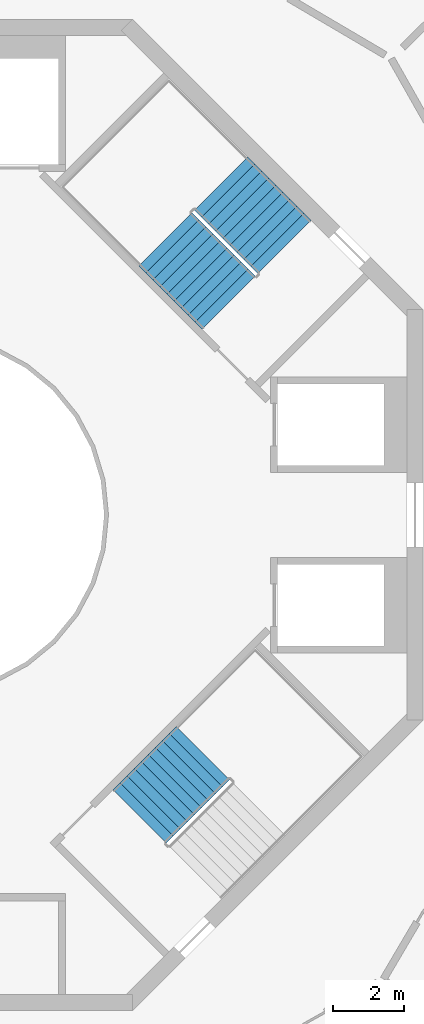
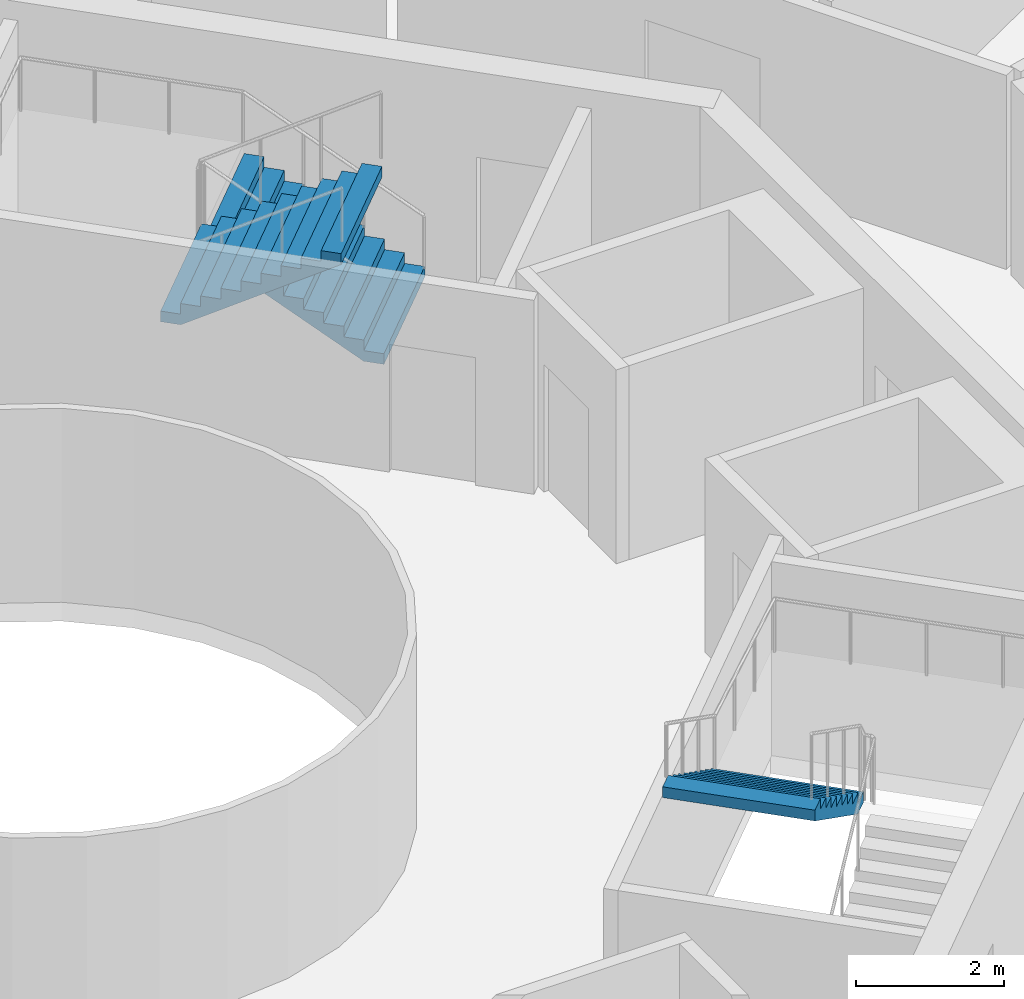
# One storey, part 23 of 24: 3 stair flights, 2 elements without a shape of their own.
"""IFC4 building model written with IfcOpenShell, lengths in metres."""

import ifcopenshell
import ifcopenshell.guid

model = None  # the IFC model being written
_history = None  # IfcOwnerHistory: only IFC2X3 demands one
_inside = {}  # id of a spatial element -> (the spatial element, [elements in it])
_under = {}  # id of a project, library or spatial element -> (it, [spatial elements below it])
_declared = {}  # id of a project -> (the project, [libraries it declares])
_typed = {}  # id of a type object -> (the type object, [elements of that type])
_made_of = {}  # id of a material, layer set ... -> (it, [elements and type objects made of it])


def new_model(schema):
    """Start an empty IFC model of exactly this schema.

    Asked for "IFC4X3", IfcOpenShell would pick the latest addendum, in which some entities
    have other attributes; the version numbers below select the first issue.
    IFC2X3 requires an IfcOwnerHistory on every rooted entity: one is made here for all.
    """
    global model, _history
    if schema == "IFC4X3":
        model = ifcopenshell.file(schema_version=(4, 3, 0, 0))
    else:
        model = ifcopenshell.file(schema=schema)
    _inside.clear()
    _under.clear()
    _declared.clear()
    _typed.clear()
    _made_of.clear()
    _history = None
    if model.schema == "IFC2X3":
        org = make("IfcOrganization", Name="unknown")
        user = make(
            "IfcPersonAndOrganization",
            ThePerson=make("IfcPerson", FamilyName="unknown"),
            TheOrganization=org,
        )
        app = make(
            "IfcApplication",
            ApplicationDeveloper=org,
            Version="unknown",
            ApplicationFullName="unknown",
            ApplicationIdentifier="unknown",
        )
        _history = make(
            "IfcOwnerHistory",
            OwningUser=user,
            OwningApplication=app,
            ChangeAction="ADDED",
            CreationDate=0,
        )
    return model


def make(cls, **values):
    """One entity of the class cls with the attributes given. An attribute that is None is left unset."""
    return model.create_entity(
        cls, **{name: value for name, value in values.items() if value is not None}
    )


def rooted(cls, **values):
    """An entity with a GlobalId (a new one), such as an element, a storey or a relation."""
    return make(cls, GlobalId=ifcopenshell.guid.new(), OwnerHistory=_history, **values)


def si_unit(unit_type, name, prefix=None):
    """IfcSIUnit, for example si_unit("LENGTHUNIT", "METRE", prefix="MILLI")."""
    return make("IfcSIUnit", UnitType=unit_type, Prefix=prefix, Name=name)


def assignment(units):
    """IfcUnitAssignment: the units of a project."""
    return None if units is None else make("IfcUnitAssignment", Units=units)


def point(xyz):
    """IfcCartesianPoint."""
    return None if xyz is None else make("IfcCartesianPoint", Coordinates=xyz)


def direction(xyz):
    """IfcDirection."""
    return None if xyz is None else make("IfcDirection", DirectionRatios=xyz)


def frame(location, z_axis=None, x_axis=None):
    """IfcAxis2Placement3D, a coordinate frame: its origin and axes. An axis left out is left unset."""
    return make(
        "IfcAxis2Placement3D",
        Location=point(location),
        Axis=direction(z_axis),
        RefDirection=direction(x_axis),
    )


def origin():
    """The frame at (0, 0, 0) with its axes left unset."""
    return frame((0.0, 0.0, 0.0))


def place(relative_to, where):
    """IfcLocalPlacement: puts the frame where relative to a parent placement (None: the world)."""
    return make(
        "IfcLocalPlacement", PlacementRelTo=relative_to, RelativePlacement=where
    )


def context(
    kind, dimensions, precision=None, world=None, true_north=None, identifier=None
):
    """IfcGeometricRepresentationContext, for example the 3D "Model" context."""
    return make(
        "IfcGeometricRepresentationContext",
        ContextIdentifier=identifier,
        ContextType=kind,
        CoordinateSpaceDimension=dimensions,
        Precision=precision,
        WorldCoordinateSystem=world,
        TrueNorth=true_north,
    )


def subcontext(parent, identifier, kind, view, scale=None):
    """IfcGeometricRepresentationSubContext, for example "Body" below "Model"."""
    return make(
        "IfcGeometricRepresentationSubContext",
        ContextIdentifier=identifier,
        ContextType=kind,
        ParentContext=parent,
        TargetScale=scale,
        TargetView=view,
    )


def project(units=None, contexts=None):
    """IfcProject with its units and contexts."""
    return rooted(
        "IfcProject",
        Name="project",
        RepresentationContexts=contexts,
        UnitsInContext=assignment(units),
    )


def spatial(cls, under=None, at=None, **own):
    """A site, building, storey or space (cls), placed at a placement, below another one or the project."""
    s = rooted(cls, ObjectPlacement=at, **own)
    if under is not None:
        _under.setdefault(under.id(), (under, []))[1].append(s)
    return s


def point_list(points):
    """IfcCartesianPointList2D or 3D."""
    cls = (
        "IfcCartesianPointList2D" if len(points[0]) == 2 else "IfcCartesianPointList3D"
    )
    return make(cls, CoordList=points)


def triangles(points, corners, closed=None, point_numbers=None):
    """IfcTriangulatedFaceSet: each triangle names its three corners, points numbered from 1."""
    return make(
        "IfcTriangulatedFaceSet",
        Coordinates=point_list(points),
        Closed=closed,
        CoordIndex=corners,
        PnIndex=point_numbers,
    )


def shape(context_of_items, identifier, shape_type, items):
    """IfcShapeRepresentation: the items that make up one representation, for example the "Body"."""
    return make(
        "IfcShapeRepresentation",
        ContextOfItems=context_of_items,
        RepresentationIdentifier=identifier,
        RepresentationType=shape_type,
        Items=items,
    )


def material(Name=None, Category=None):
    """IfcMaterial."""
    return make("IfcMaterial", Name=Name, Category=Category)


def made_of(thing, what):
    """Note that an element or type object is made of a material, layer set ...; save() writes the relation."""
    if what is not None:
        _made_of.setdefault(what.id(), (what, []))[1].append(thing)
    return thing


def type_object(cls, material=None, **own):
    """A type object (cls), such as IfcWallType, which elements share."""
    return made_of(rooted(cls, **own), material)


def element(
    cls,
    number,
    at=None,
    inside=None,
    cuts=None,
    type_object=None,
    material=None,
    context=None,
    identifier="Body",
    shape_type=None,
    held_by="IfcProductDefinitionShape",
    body=None,
    shapes=None,
    **own,
):
    """One element of the class cls, such as IfcWall. Its Tag is "e" and its number.

    at: its placement. inside: the storey or other place that contains it. cuts: it is an
    opening in that element (IfcRelVoidsElement). A single representation is given by context,
    identifier, shape_type and body (its items); several are given by shapes. held_by: the class
    of the entity that holds the representations. save() writes the other relations.
    """
    e = rooted(cls, Tag="e%d" % number, ObjectPlacement=at, **own)
    if body is not None:
        shapes = [shape(context, identifier, shape_type, body)]
    if shapes is not None:
        e.Representation = make(held_by, Representations=shapes)
    if inside is not None:
        _inside.setdefault(inside.id(), (inside, []))[1].append(e)
    if cuts is not None:
        rooted(
            "IfcRelVoidsElement", RelatingBuildingElement=cuts, RelatedOpeningElement=e
        )
    if type_object is not None:
        _typed.setdefault(type_object.id(), (type_object, []))[1].append(e)
    return made_of(e, material)


def aggregate(whole, parts):
    """IfcRelAggregates: a whole, such as a stair, and the parts it consists of."""
    return rooted("IfcRelAggregates", RelatingObject=whole, RelatedObjects=parts)


def save(model, path):
    """Write the relations noted so far, then the file.

    IfcRelAggregates (storeys below a building ...), IfcRelContainedInSpatialStructure (elements
    in a storey), IfcRelDefinesByType, IfcRelAssociatesMaterial and IfcRelDeclares: one each for
    every whole, place, type object, material and project.
    """
    for whole, parts in _under.values():
        aggregate(whole, parts)
    for where, things in _inside.values():
        rooted(
            "IfcRelContainedInSpatialStructure",
            RelatedElements=things,
            RelatingStructure=where,
        )
    for kind, things in _typed.values():
        rooted("IfcRelDefinesByType", RelatedObjects=things, RelatingType=kind)
    for what, things in _made_of.values():
        rooted("IfcRelAssociatesMaterial", RelatedObjects=things, RelatingMaterial=what)
    for by, libraries in _declared.values():
        rooted("IfcRelDeclares", RelatingContext=by, RelatedDefinitions=libraries)
    model.write(path)


model = new_model("IFC4")

# Units and contexts
model_context = context("Model", 3, precision=1e-05, world=origin(), true_north=direction((0.0, 1.0)))
body_context = subcontext(model_context, "Body", "Model", "MODEL_VIEW")
ifc_project = project(units=[si_unit("LENGTHUNIT", "METRE"), si_unit("AREAUNIT", "SQUARE_METRE"), si_unit("VOLUMEUNIT", "CUBIC_METRE"), si_unit("PLANEANGLEUNIT", "RADIAN"), si_unit("MASSUNIT", "GRAM", prefix="KILO")], contexts=[model_context])

# Site, building, storey
site_placement = place(None, origin())
site = spatial("IfcSite", under=ifc_project, at=site_placement, CompositionType="ELEMENT")
building_placement = place(site_placement, origin())
building = spatial("IfcBuilding", under=site, at=building_placement, Name="Verdalira Terraces Hotel", CompositionType="ELEMENT")
storey_placement = place(building_placement, frame((0.0, 0.0, 277.5)))
storey = spatial("IfcBuildingStorey", under=building, at=storey_placement, Name="L68", CompositionType="ELEMENT", Elevation=277.5)

# Stair, stair flights
ifc_material_1 = material(Name="Concrete C40", Category="concrete")
stair_type = type_object("IfcStairType", Name="Core stair 20 risers 2125 mm wide", PredefinedType="HALF_TURN_STAIR", material=ifc_material_1)
stair_1_placement = place(storey_placement, origin())
stair_1 = element("IfcStair", 1, at=stair_1_placement, inside=storey, type_object=stair_type, Name="L68 Exit stair ST1", PredefinedType="HALF_TURN_STAIR")
ifc_material_2 = material(Name="Concrete C40", Category="concrete")
stair_flight_type = type_object("IfcStairFlightType", Name="Core stair flight 20 risers 2125 mm wide", PredefinedType="STRAIGHT", material=ifc_material_2)
stair_flight_1_placement = place(storey_placement, frame((10.085205, 7.574951, 0.0), z_axis=(0.0, 0.0, 1.0), x_axis=(-0.707106781, 0.707106781, 0.0)))
stair_flight_1 = element("IfcStairFlight", 2, at=stair_flight_1_placement, type_object=stair_flight_type, Name="ST1 flight 1", NumberOfRisers=10, NumberOfTreads=9, PredefinedType="STRAIGHT", RiserHeight=0.175, TreadLength=0.28, context=body_context, shape_type="Tessellation", body=[
    triangles([(0.0, 1.0625, 0.0), (0.282715, 1.0625, 0.0), (2.52002, 1.0625, 1.398193), (0.0, -1.0625, 0.0), (0.282715, -1.0625, 0.0), (2.52002, -1.0625, 1.398193), (2.52002, 1.0625, 1.574951), (2.23999, 1.0625, 1.574951), (2.52002, -1.0625, 1.574951), (2.23999, -1.0625, 1.574951), (2.23999, 1.0625, 1.399902), (2.23999, -1.0625, 1.399902), (1.959961, 1.0625, 1.399902), (1.959961, -1.0625, 1.399902), (1.959961, 1.0625, 1.225098), (1.959961, -1.0625, 1.225098), (1.679932, 1.0625, 1.225098), (1.679932, 1.0625, 1.050049), (1.679932, -1.0625, 1.225098), (1.679932, -1.0625, 1.050049), (1.399902, 1.0625, 1.050049), (1.399902, 1.0625, 0.875), (1.399902, -1.0625, 1.050049), (1.399902, -1.0625, 0.875), (1.120117, 1.0625, 0.875), (1.120117, 1.0625, 0.699951), (1.120117, -1.0625, 0.875), (1.120117, -1.0625, 0.699951), (0.840088, 1.0625, 0.699951), (0.840088, 1.0625, 0.524902), (0.840088, -1.0625, 0.699951), (0.840088, -1.0625, 0.524902), (0.560059, 1.0625, 0.524902), (0.560059, 1.0625, 0.350098), (0.560059, -1.0625, 0.524902), (0.560059, -1.0625, 0.350098), (0.280029, 1.0625, 0.350098), (0.280029, 1.0625, 0.175049), (0.280029, -1.0625, 0.350098), (0.280029, -1.0625, 0.175049), (0.0, 1.0625, 0.175049), (0.0, -1.0625, 0.175049), (0.0, -0.996094, 0.0), (0.0, -0.996094, 0.175049), (0.0, -0.929688, 0.0), (0.0, -0.929688, 0.175049), (0.0, -0.863281, 0.0), (0.0, -0.863281, 0.175049), (0.0, -0.796875, 0.0), (0.0, -0.796875, 0.175049), (0.0, -0.730469, 0.0), (0.0, -0.730469, 0.175049), (0.0, -0.664062, 0.0), (0.0, -0.664062, 0.175049), (0.0, -0.597656, 0.0), (0.0, -0.597656, 0.175049), (0.0, -0.53125, 0.0), (0.0, -0.53125, 0.175049), (0.0, -0.464844, 0.0), (0.0, -0.464844, 0.175049), (0.0, -0.398438, 0.0), (0.0, -0.398438, 0.175049), (0.0, -0.332031, 0.0), (0.0, -0.332031, 0.175049), (0.0, -0.265625, 0.0), (0.0, -0.265625, 0.175049), (0.0, -0.199219, 0.0), (0.0, -0.199219, 0.175049), (0.0, -0.132812, 0.0), (0.0, -0.132812, 0.175049), (0.0, -0.066406, 0.0), (0.0, -0.066406, 0.175049), (0.0, 0.0, 0.0), (0.0, 0.0, 0.175049), (0.0, 0.066406, 0.0), (0.0, 0.066406, 0.175049), (0.0, 0.132812, 0.0), (0.0, 0.132812, 0.175049), (0.0, 0.199219, 0.0), (0.0, 0.199219, 0.175049), (0.0, 0.265625, 0.0), (0.0, 0.265625, 0.175049), (0.0, 0.332031, 0.0), (0.0, 0.332031, 0.175049), (0.0, 0.398438, 0.0), (0.0, 0.398438, 0.175049), (0.0, 0.464844, 0.0), (0.0, 0.464844, 0.175049), (0.0, 0.53125, 0.0), (0.0, 0.53125, 0.175049), (0.0, 0.597656, 0.0), (0.0, 0.597656, 0.175049), (0.0, 0.664062, 0.0), (0.0, 0.664062, 0.175049), (0.0, 0.730469, 0.0), (0.0, 0.730469, 0.175049), (0.0, 0.796875, 0.0), (0.0, 0.796875, 0.175049), (0.0, 0.863281, 0.0), (0.0, 0.863281, 0.175049), (0.0, 0.929688, 0.0), (0.0, 0.929688, 0.175049), (0.0, 0.996094, 0.0), (0.0, 0.996094, 0.175049), (2.52002, -0.996094, 1.574951), (2.52002, -0.929688, 1.574951), (2.52002, -0.863281, 1.574951), (2.52002, -0.796875, 1.574951), (2.52002, -0.730469, 1.574951), (2.52002, -0.664062, 1.574951), (2.52002, -0.597656, 1.574951), (2.52002, -0.53125, 1.574951), (2.52002, -0.464844, 1.574951), (2.52002, -0.398438, 1.574951), (2.52002, -0.332031, 1.574951), (2.52002, -0.265625, 1.574951), (2.52002, -0.199219, 1.574951), (2.52002, -0.132812, 1.574951), (2.52002, -0.066406, 1.574951), (2.52002, 0.0, 1.574951), (2.52002, 0.066406, 1.574951), (2.52002, 0.132812, 1.574951), (2.52002, 0.199219, 1.574951), (2.52002, 0.265625, 1.574951), (2.52002, 0.332031, 1.574951), (2.52002, 0.398438, 1.574951), (2.52002, 0.464844, 1.574951), (2.52002, 0.53125, 1.574951), (2.52002, 0.597656, 1.574951), (2.52002, 0.664062, 1.574951), (2.52002, 0.730469, 1.574951), (2.52002, 0.796875, 1.574951), (2.52002, 0.863281, 1.574951), (2.52002, 0.929688, 1.574951), (2.52002, 0.996094, 1.574951), (2.52002, -0.996094, 1.398193), (2.52002, -0.929688, 1.398193), (2.52002, -0.863281, 1.398193), (2.52002, -0.796875, 1.398193), (2.52002, -0.730469, 1.398193), (2.52002, -0.664062, 1.398193), (2.52002, -0.597656, 1.398193), (2.52002, -0.53125, 1.398193), (2.52002, -0.464844, 1.398193), (2.52002, -0.398438, 1.398193), (2.52002, -0.332031, 1.398193), (2.52002, -0.265625, 1.398193), (2.52002, -0.199219, 1.398193), (2.52002, -0.132812, 1.398193), (2.52002, -0.066406, 1.398193), (2.52002, 0.0, 1.398193), (2.52002, 0.066406, 1.398193), (2.52002, 0.132812, 1.398193), (2.52002, 0.199219, 1.398193), (2.52002, 0.265625, 1.398193), (2.52002, 0.332031, 1.398193), (2.52002, 0.398438, 1.398193), (2.52002, 0.464844, 1.398193), (2.52002, 0.53125, 1.398193), (2.52002, 0.597656, 1.398193), (2.52002, 0.664062, 1.398193), (2.52002, 0.730469, 1.398193), (2.52002, 0.796875, 1.398193), (2.52002, 0.863281, 1.398193), (2.52002, 0.929688, 1.398193), (2.52002, 0.996094, 1.398193)], [[1, 3, 2], [4, 5, 6], [3, 8, 7], [6, 9, 10], [3, 11, 8], [6, 10, 12], [3, 13, 11], [6, 12, 14], [3, 15, 13], [6, 14, 16], [15, 18, 17], [16, 19, 20], [3, 18, 15], [6, 16, 20], [18, 22, 21], [20, 23, 24], [3, 22, 18], [6, 20, 24], [22, 26, 25], [24, 27, 28], [3, 26, 22], [6, 24, 28], [26, 30, 29], [28, 31, 32], [3, 30, 26], [6, 28, 32], [1, 30, 3], [4, 6, 32], [30, 34, 33], [32, 35, 36], [34, 38, 37], [36, 39, 40], [30, 38, 34], [32, 36, 40], [1, 38, 30], [4, 32, 40], [38, 1, 41], [40, 42, 4], [4, 44, 43], [4, 42, 44], [43, 46, 45], [43, 44, 46], [45, 48, 47], [45, 46, 48], [47, 50, 49], [47, 48, 50], [49, 52, 51], [49, 50, 52], [51, 54, 53], [51, 52, 54], [53, 56, 55], [53, 54, 56], [55, 58, 57], [55, 56, 58], [57, 60, 59], [57, 58, 60], [59, 62, 61], [59, 60, 62], [61, 64, 63], [61, 62, 64], [63, 66, 65], [63, 64, 66], [65, 68, 67], [65, 66, 68], [67, 70, 69], [67, 68, 70], [69, 72, 71], [69, 70, 72], [71, 74, 73], [71, 72, 74], [73, 76, 75], [73, 74, 76], [75, 78, 77], [75, 76, 78], [77, 80, 79], [77, 78, 80], [79, 82, 81], [79, 80, 82], [81, 84, 83], [81, 82, 84], [83, 86, 85], [83, 84, 86], [85, 88, 87], [85, 86, 88], [87, 90, 89], [87, 88, 90], [89, 92, 91], [89, 90, 92], [91, 94, 93], [91, 92, 94], [93, 96, 95], [93, 94, 96], [95, 98, 97], [95, 96, 98], [97, 100, 99], [97, 98, 100], [99, 102, 101], [99, 100, 102], [101, 104, 103], [101, 102, 104], [103, 41, 1], [103, 104, 41], [42, 40, 44], [44, 40, 46], [46, 40, 48], [48, 40, 50], [50, 40, 52], [52, 40, 54], [54, 40, 56], [56, 40, 58], [58, 40, 60], [60, 40, 62], [62, 40, 64], [64, 40, 66], [66, 40, 68], [68, 40, 70], [70, 40, 72], [72, 40, 74], [74, 40, 76], [76, 40, 78], [78, 40, 80], [80, 40, 82], [82, 40, 84], [84, 40, 86], [86, 40, 88], [88, 40, 90], [90, 40, 92], [92, 40, 94], [94, 40, 96], [96, 40, 98], [98, 40, 100], [100, 40, 102], [102, 40, 104], [104, 40, 41], [41, 40, 38], [40, 37, 38], [40, 39, 37], [39, 34, 37], [39, 36, 34], [36, 33, 34], [36, 35, 33], [35, 30, 33], [35, 32, 30], [32, 29, 30], [32, 31, 29], [31, 26, 29], [31, 28, 26], [28, 25, 26], [28, 27, 25], [27, 22, 25], [27, 24, 22], [24, 21, 22], [24, 23, 21], [23, 18, 21], [23, 20, 18], [20, 17, 18], [20, 19, 17], [19, 15, 17], [19, 16, 15], [16, 13, 15], [16, 14, 13], [14, 11, 13], [14, 12, 11], [12, 8, 11], [12, 10, 8], [9, 105, 10], [105, 106, 10], [106, 107, 10], [107, 108, 10], [108, 109, 10], [109, 110, 10], [110, 111, 10], [111, 112, 10], [112, 113, 10], [113, 114, 10], [114, 115, 10], [115, 116, 10], [116, 117, 10], [117, 118, 10], [118, 119, 10], [119, 120, 10], [120, 121, 10], [121, 122, 10], [122, 123, 10], [123, 124, 10], [124, 125, 10], [125, 126, 10], [126, 127, 10], [127, 128, 10], [128, 129, 10], [129, 130, 10], [130, 131, 10], [131, 132, 10], [132, 133, 10], [133, 134, 10], [134, 135, 10], [135, 7, 10], [7, 8, 10], [9, 136, 105], [9, 6, 136], [105, 137, 106], [105, 136, 137], [106, 138, 107], [106, 137, 138], [107, 139, 108], [107, 138, 139], [108, 140, 109], [108, 139, 140], [109, 141, 110], [109, 140, 141], [110, 142, 111], [110, 141, 142], [111, 143, 112], [111, 142, 143], [112, 144, 113], [112, 143, 144], [113, 145, 114], [113, 144, 145], [114, 146, 115], [114, 145, 146], [115, 147, 116], [115, 146, 147], [116, 148, 117], [116, 147, 148], [117, 149, 118], [117, 148, 149], [118, 150, 119], [118, 149, 150], [119, 151, 120], [119, 150, 151], [120, 152, 121], [120, 151, 152], [121, 153, 122], [121, 152, 153], [122, 154, 123], [122, 153, 154], [123, 155, 124], [123, 154, 155], [124, 156, 125], [124, 155, 156], [125, 157, 126], [125, 156, 157], [126, 158, 127], [126, 157, 158], [127, 159, 128], [127, 158, 159], [128, 160, 129], [128, 159, 160], [129, 161, 130], [129, 160, 161], [130, 162, 131], [130, 161, 162], [131, 163, 132], [131, 162, 163], [132, 164, 133], [132, 163, 164], [133, 165, 134], [133, 164, 165], [134, 166, 135], [134, 165, 166], [135, 3, 7], [135, 166, 3], [6, 5, 136], [136, 5, 137], [137, 5, 138], [138, 5, 139], [139, 5, 140], [140, 5, 141], [141, 5, 142], [142, 5, 143], [143, 5, 144], [144, 5, 145], [145, 5, 146], [146, 5, 147], [147, 5, 148], [148, 5, 149], [149, 5, 150], [150, 5, 151], [151, 5, 152], [152, 5, 153], [153, 5, 154], [154, 5, 155], [155, 5, 156], [156, 5, 157], [157, 5, 158], [158, 5, 159], [159, 5, 160], [160, 5, 161], [161, 5, 162], [162, 5, 163], [163, 5, 164], [164, 5, 165], [165, 5, 166], [166, 5, 3], [3, 5, 2], [4, 43, 5], [43, 45, 5], [45, 47, 5], [47, 49, 5], [49, 51, 5], [51, 53, 5], [53, 55, 5], [55, 57, 5], [57, 59, 5], [59, 61, 5], [61, 63, 5], [63, 65, 5], [65, 67, 5], [67, 69, 5], [69, 71, 5], [71, 73, 5], [73, 75, 5], [75, 77, 5], [77, 79, 5], [79, 81, 5], [81, 83, 5], [83, 85, 5], [85, 87, 5], [87, 89, 5], [89, 91, 5], [91, 93, 5], [93, 95, 5], [95, 97, 5], [97, 99, 5], [99, 101, 5], [101, 103, 5], [103, 1, 5], [1, 2, 5]], closed=True),
])
stair_flight_2_placement = place(storey_placement, frame((6.72998, 7.783447, 1.75), z_axis=(0.0, 0.0, 1.0), x_axis=(0.707106781, -0.707106781, 0.0)))
stair_flight_2 = element("IfcStairFlight", 3, at=stair_flight_2_placement, type_object=stair_flight_type, Name="ST1 flight 2", NumberOfRisers=10, NumberOfTreads=9, PredefinedType="STRAIGHT", RiserHeight=0.175, TreadLength=0.28, context=body_context, shape_type="Tessellation", body=[
    triangles([(0.0, 1.0625, 0.0), (0.282715, 1.0625, 0.0), (2.52002, 1.0625, 1.398193), (0.0, -1.0625, 0.0), (0.282715, -1.0625, 0.0), (2.52002, -1.0625, 1.398193), (2.52002, 1.0625, 1.574951), (2.23999, 1.0625, 1.574951), (2.52002, -1.0625, 1.574951), (2.23999, -1.0625, 1.574951), (2.23999, 1.0625, 1.399902), (2.23999, -1.0625, 1.399902), (1.959961, 1.0625, 1.399902), (1.959961, -1.0625, 1.399902), (1.959961, 1.0625, 1.225098), (1.959961, -1.0625, 1.225098), (1.679932, 1.0625, 1.225098), (1.679932, 1.0625, 1.050049), (1.679932, -1.0625, 1.225098), (1.679932, -1.0625, 1.050049), (1.399902, 1.0625, 1.050049), (1.399902, 1.0625, 0.875), (1.399902, -1.0625, 1.050049), (1.399902, -1.0625, 0.875), (1.120117, 1.0625, 0.875), (1.120117, 1.0625, 0.699951), (1.120117, -1.0625, 0.875), (1.120117, -1.0625, 0.699951), (0.840088, 1.0625, 0.699951), (0.840088, 1.0625, 0.524902), (0.840088, -1.0625, 0.699951), (0.840088, -1.0625, 0.524902), (0.560059, 1.0625, 0.524902), (0.560059, 1.0625, 0.350098), (0.560059, -1.0625, 0.524902), (0.560059, -1.0625, 0.350098), (0.280029, 1.0625, 0.350098), (0.280029, 1.0625, 0.175049), (0.280029, -1.0625, 0.350098), (0.280029, -1.0625, 0.175049), (0.0, 1.0625, 0.175049), (0.0, -1.0625, 0.175049), (0.0, -0.996094, 0.0), (0.0, -0.996094, 0.175049), (0.0, -0.929688, 0.0), (0.0, -0.929688, 0.175049), (0.0, -0.863281, 0.0), (0.0, -0.863281, 0.175049), (0.0, -0.796875, 0.0), (0.0, -0.796875, 0.175049), (0.0, -0.730469, 0.0), (0.0, -0.730469, 0.175049), (0.0, -0.664062, 0.0), (0.0, -0.664062, 0.175049), (0.0, -0.597656, 0.0), (0.0, -0.597656, 0.175049), (0.0, -0.53125, 0.0), (0.0, -0.53125, 0.175049), (0.0, -0.464844, 0.0), (0.0, -0.464844, 0.175049), (0.0, -0.398438, 0.0), (0.0, -0.398438, 0.175049), (0.0, -0.332031, 0.0), (0.0, -0.332031, 0.175049), (0.0, -0.265625, 0.0), (0.0, -0.265625, 0.175049), (0.0, -0.199219, 0.0), (0.0, -0.199219, 0.175049), (0.0, -0.132812, 0.0), (0.0, -0.132812, 0.175049), (0.0, -0.066406, 0.0), (0.0, -0.066406, 0.175049), (0.0, 0.0, 0.0), (0.0, 0.0, 0.175049), (0.0, 0.066406, 0.0), (0.0, 0.066406, 0.175049), (0.0, 0.132812, 0.0), (0.0, 0.132812, 0.175049), (0.0, 0.199219, 0.0), (0.0, 0.199219, 0.175049), (0.0, 0.265625, 0.0), (0.0, 0.265625, 0.175049), (0.0, 0.332031, 0.0), (0.0, 0.332031, 0.175049), (0.0, 0.398438, 0.0), (0.0, 0.398438, 0.175049), (0.0, 0.464844, 0.0), (0.0, 0.464844, 0.175049), (0.0, 0.53125, 0.0), (0.0, 0.53125, 0.175049), (0.0, 0.597656, 0.0), (0.0, 0.597656, 0.175049), (0.0, 0.664062, 0.0), (0.0, 0.664062, 0.175049), (0.0, 0.730469, 0.0), (0.0, 0.730469, 0.175049), (0.0, 0.796875, 0.0), (0.0, 0.796875, 0.175049), (0.0, 0.863281, 0.0), (0.0, 0.863281, 0.175049), (0.0, 0.929688, 0.0), (0.0, 0.929688, 0.175049), (0.0, 0.996094, 0.0), (0.0, 0.996094, 0.175049), (2.52002, -0.996094, 1.574951), (2.52002, -0.929688, 1.574951), (2.52002, -0.863281, 1.574951), (2.52002, -0.796875, 1.574951), (2.52002, -0.730469, 1.574951), (2.52002, -0.664062, 1.574951), (2.52002, -0.597656, 1.574951), (2.52002, -0.53125, 1.574951), (2.52002, -0.464844, 1.574951), (2.52002, -0.398438, 1.574951), (2.52002, -0.332031, 1.574951), (2.52002, -0.265625, 1.574951), (2.52002, -0.199219, 1.574951), (2.52002, -0.132812, 1.574951), (2.52002, -0.066406, 1.574951), (2.52002, 0.0, 1.574951), (2.52002, 0.066406, 1.574951), (2.52002, 0.132812, 1.574951), (2.52002, 0.199219, 1.574951), (2.52002, 0.265625, 1.574951), (2.52002, 0.332031, 1.574951), (2.52002, 0.398438, 1.574951), (2.52002, 0.464844, 1.574951), (2.52002, 0.53125, 1.574951), (2.52002, 0.597656, 1.574951), (2.52002, 0.664062, 1.574951), (2.52002, 0.730469, 1.574951), (2.52002, 0.796875, 1.574951), (2.52002, 0.863281, 1.574951), (2.52002, 0.929688, 1.574951), (2.52002, 0.996094, 1.574951), (2.52002, -0.996094, 1.398193), (2.52002, -0.929688, 1.398193), (2.52002, -0.863281, 1.398193), (2.52002, -0.796875, 1.398193), (2.52002, -0.730469, 1.398193), (2.52002, -0.664062, 1.398193), (2.52002, -0.597656, 1.398193), (2.52002, -0.53125, 1.398193), (2.52002, -0.464844, 1.398193), (2.52002, -0.398438, 1.398193), (2.52002, -0.332031, 1.398193), (2.52002, -0.265625, 1.398193), (2.52002, -0.199219, 1.398193), (2.52002, -0.132812, 1.398193), (2.52002, -0.066406, 1.398193), (2.52002, 0.0, 1.398193), (2.52002, 0.066406, 1.398193), (2.52002, 0.132812, 1.398193), (2.52002, 0.199219, 1.398193), (2.52002, 0.265625, 1.398193), (2.52002, 0.332031, 1.398193), (2.52002, 0.398438, 1.398193), (2.52002, 0.464844, 1.398193), (2.52002, 0.53125, 1.398193), (2.52002, 0.597656, 1.398193), (2.52002, 0.664062, 1.398193), (2.52002, 0.730469, 1.398193), (2.52002, 0.796875, 1.398193), (2.52002, 0.863281, 1.398193), (2.52002, 0.929688, 1.398193), (2.52002, 0.996094, 1.398193)], [[1, 3, 2], [4, 5, 6], [3, 8, 7], [6, 9, 10], [3, 11, 8], [6, 10, 12], [3, 13, 11], [6, 12, 14], [3, 15, 13], [6, 14, 16], [15, 18, 17], [16, 19, 20], [3, 18, 15], [6, 16, 20], [18, 22, 21], [20, 23, 24], [3, 22, 18], [6, 20, 24], [22, 26, 25], [24, 27, 28], [3, 26, 22], [6, 24, 28], [26, 30, 29], [28, 31, 32], [3, 30, 26], [6, 28, 32], [1, 30, 3], [4, 6, 32], [30, 34, 33], [32, 35, 36], [34, 38, 37], [36, 39, 40], [30, 38, 34], [32, 36, 40], [1, 38, 30], [4, 32, 40], [38, 1, 41], [40, 42, 4], [4, 44, 43], [4, 42, 44], [43, 46, 45], [43, 44, 46], [45, 48, 47], [45, 46, 48], [47, 50, 49], [47, 48, 50], [49, 52, 51], [49, 50, 52], [51, 54, 53], [51, 52, 54], [53, 56, 55], [53, 54, 56], [55, 58, 57], [55, 56, 58], [57, 60, 59], [57, 58, 60], [59, 62, 61], [59, 60, 62], [61, 64, 63], [61, 62, 64], [63, 66, 65], [63, 64, 66], [65, 68, 67], [65, 66, 68], [67, 70, 69], [67, 68, 70], [69, 72, 71], [69, 70, 72], [71, 74, 73], [71, 72, 74], [73, 76, 75], [73, 74, 76], [75, 78, 77], [75, 76, 78], [77, 80, 79], [77, 78, 80], [79, 82, 81], [79, 80, 82], [81, 84, 83], [81, 82, 84], [83, 86, 85], [83, 84, 86], [85, 88, 87], [85, 86, 88], [87, 90, 89], [87, 88, 90], [89, 92, 91], [89, 90, 92], [91, 94, 93], [91, 92, 94], [93, 96, 95], [93, 94, 96], [95, 98, 97], [95, 96, 98], [97, 100, 99], [97, 98, 100], [99, 102, 101], [99, 100, 102], [101, 104, 103], [101, 102, 104], [103, 41, 1], [103, 104, 41], [42, 40, 44], [44, 40, 46], [46, 40, 48], [48, 40, 50], [50, 40, 52], [52, 40, 54], [54, 40, 56], [56, 40, 58], [58, 40, 60], [60, 40, 62], [62, 40, 64], [64, 40, 66], [66, 40, 68], [68, 40, 70], [70, 40, 72], [72, 40, 74], [74, 40, 76], [76, 40, 78], [78, 40, 80], [80, 40, 82], [82, 40, 84], [84, 40, 86], [86, 40, 88], [88, 40, 90], [90, 40, 92], [92, 40, 94], [94, 40, 96], [96, 40, 98], [98, 40, 100], [100, 40, 102], [102, 40, 104], [104, 40, 41], [41, 40, 38], [40, 37, 38], [40, 39, 37], [39, 34, 37], [39, 36, 34], [36, 33, 34], [36, 35, 33], [35, 30, 33], [35, 32, 30], [32, 29, 30], [32, 31, 29], [31, 26, 29], [31, 28, 26], [28, 25, 26], [28, 27, 25], [27, 22, 25], [27, 24, 22], [24, 21, 22], [24, 23, 21], [23, 18, 21], [23, 20, 18], [20, 17, 18], [20, 19, 17], [19, 15, 17], [19, 16, 15], [16, 13, 15], [16, 14, 13], [14, 11, 13], [14, 12, 11], [12, 8, 11], [12, 10, 8], [9, 105, 10], [105, 106, 10], [106, 107, 10], [107, 108, 10], [108, 109, 10], [109, 110, 10], [110, 111, 10], [111, 112, 10], [112, 113, 10], [113, 114, 10], [114, 115, 10], [115, 116, 10], [116, 117, 10], [117, 118, 10], [118, 119, 10], [119, 120, 10], [120, 121, 10], [121, 122, 10], [122, 123, 10], [123, 124, 10], [124, 125, 10], [125, 126, 10], [126, 127, 10], [127, 128, 10], [128, 129, 10], [129, 130, 10], [130, 131, 10], [131, 132, 10], [132, 133, 10], [133, 134, 10], [134, 135, 10], [135, 7, 10], [7, 8, 10], [9, 136, 105], [9, 6, 136], [105, 137, 106], [105, 136, 137], [106, 138, 107], [106, 137, 138], [107, 139, 108], [107, 138, 139], [108, 140, 109], [108, 139, 140], [109, 141, 110], [109, 140, 141], [110, 142, 111], [110, 141, 142], [111, 143, 112], [111, 142, 143], [112, 144, 113], [112, 143, 144], [113, 145, 114], [113, 144, 145], [114, 146, 115], [114, 145, 146], [115, 147, 116], [115, 146, 147], [116, 148, 117], [116, 147, 148], [117, 149, 118], [117, 148, 149], [118, 150, 119], [118, 149, 150], [119, 151, 120], [119, 150, 151], [120, 152, 121], [120, 151, 152], [121, 153, 122], [121, 152, 153], [122, 154, 123], [122, 153, 154], [123, 155, 124], [123, 154, 155], [124, 156, 125], [124, 155, 156], [125, 157, 126], [125, 156, 157], [126, 158, 127], [126, 157, 158], [127, 159, 128], [127, 158, 159], [128, 160, 129], [128, 159, 160], [129, 161, 130], [129, 160, 161], [130, 162, 131], [130, 161, 162], [131, 163, 132], [131, 162, 163], [132, 164, 133], [132, 163, 164], [133, 165, 134], [133, 164, 165], [134, 166, 135], [134, 165, 166], [135, 3, 7], [135, 166, 3], [6, 5, 136], [136, 5, 137], [137, 5, 138], [138, 5, 139], [139, 5, 140], [140, 5, 141], [141, 5, 142], [142, 5, 143], [143, 5, 144], [144, 5, 145], [145, 5, 146], [146, 5, 147], [147, 5, 148], [148, 5, 149], [149, 5, 150], [150, 5, 151], [151, 5, 152], [152, 5, 153], [153, 5, 154], [154, 5, 155], [155, 5, 156], [156, 5, 157], [157, 5, 158], [158, 5, 159], [159, 5, 160], [160, 5, 161], [161, 5, 162], [162, 5, 163], [163, 5, 164], [164, 5, 165], [165, 5, 166], [166, 5, 3], [3, 5, 2], [4, 43, 5], [43, 45, 5], [45, 47, 5], [47, 49, 5], [49, 51, 5], [51, 53, 5], [53, 55, 5], [55, 57, 5], [57, 59, 5], [59, 61, 5], [61, 63, 5], [63, 65, 5], [65, 67, 5], [67, 69, 5], [69, 71, 5], [71, 73, 5], [73, 75, 5], [75, 77, 5], [77, 79, 5], [79, 81, 5], [81, 83, 5], [83, 85, 5], [85, 87, 5], [87, 89, 5], [89, 91, 5], [91, 93, 5], [93, 95, 5], [95, 97, 5], [97, 99, 5], [99, 101, 5], [101, 103, 5], [103, 1, 5], [1, 2, 5]], closed=True),
])
aggregate(stair_1, [stair_flight_1, stair_flight_2])

# Stair, stair flight
stair_2_placement = place(storey_placement, origin())
stair_2 = element("IfcStair", 4, at=stair_2_placement, inside=storey, type_object=stair_type, Name="L68 Exit stair ST3", PredefinedType="HALF_TURN_STAIR")
stair_flight_3_placement = place(storey_placement, frame((7.783447, -6.72998, 1.75), z_axis=(0.0, 0.0, 1.0), x_axis=(-0.707106781, -0.707106781, 0.0)))
stair_flight_3 = element("IfcStairFlight", 5, at=stair_flight_3_placement, type_object=stair_flight_type, Name="ST3 flight 2", NumberOfRisers=10, NumberOfTreads=9, PredefinedType="STRAIGHT", RiserHeight=0.175, TreadLength=0.28, context=body_context, shape_type="Tessellation", body=[
    triangles([(0.0, 1.0625, 0.0), (0.282715, 1.0625, 0.0), (2.52002, 1.0625, 1.398193), (0.0, -1.0625, 0.0), (0.282715, -1.0625, 0.0), (2.52002, -1.0625, 1.398193), (2.52002, 1.0625, 1.574951), (2.23999, 1.0625, 1.574951), (2.52002, -1.0625, 1.574951), (2.23999, -1.0625, 1.574951), (2.23999, 1.0625, 1.399902), (2.23999, -1.0625, 1.399902), (1.959961, 1.0625, 1.399902), (1.959961, -1.0625, 1.399902), (1.959961, 1.0625, 1.225098), (1.959961, -1.0625, 1.225098), (1.679932, 1.0625, 1.225098), (1.679932, 1.0625, 1.050049), (1.679932, -1.0625, 1.225098), (1.679932, -1.0625, 1.050049), (1.399902, 1.0625, 1.050049), (1.399902, 1.0625, 0.875), (1.399902, -1.0625, 1.050049), (1.399902, -1.0625, 0.875), (1.120117, 1.0625, 0.875), (1.120117, 1.0625, 0.699951), (1.120117, -1.0625, 0.875), (1.120117, -1.0625, 0.699951), (0.840088, 1.0625, 0.699951), (0.840088, 1.0625, 0.524902), (0.840088, -1.0625, 0.699951), (0.840088, -1.0625, 0.524902), (0.560059, 1.0625, 0.524902), (0.560059, 1.0625, 0.350098), (0.560059, -1.0625, 0.524902), (0.560059, -1.0625, 0.350098), (0.280029, 1.0625, 0.350098), (0.280029, 1.0625, 0.175049), (0.280029, -1.0625, 0.350098), (0.280029, -1.0625, 0.175049), (0.0, 1.0625, 0.175049), (0.0, -1.0625, 0.175049), (0.0, -0.996094, 0.0), (0.0, -0.996094, 0.175049), (0.0, -0.929688, 0.0), (0.0, -0.929688, 0.175049), (0.0, -0.863281, 0.0), (0.0, -0.863281, 0.175049), (0.0, -0.796875, 0.0), (0.0, -0.796875, 0.175049), (0.0, -0.730469, 0.0), (0.0, -0.730469, 0.175049), (0.0, -0.664062, 0.0), (0.0, -0.664062, 0.175049), (0.0, -0.597656, 0.0), (0.0, -0.597656, 0.175049), (0.0, -0.53125, 0.0), (0.0, -0.53125, 0.175049), (0.0, -0.464844, 0.0), (0.0, -0.464844, 0.175049), (0.0, -0.398438, 0.0), (0.0, -0.398438, 0.175049), (0.0, -0.332031, 0.0), (0.0, -0.332031, 0.175049), (0.0, -0.265625, 0.0), (0.0, -0.265625, 0.175049), (0.0, -0.199219, 0.0), (0.0, -0.199219, 0.175049), (0.0, -0.132812, 0.0), (0.0, -0.132812, 0.175049), (0.0, -0.066406, 0.0), (0.0, -0.066406, 0.175049), (0.0, 0.0, 0.0), (0.0, 0.0, 0.175049), (0.0, 0.066406, 0.0), (0.0, 0.066406, 0.175049), (0.0, 0.132812, 0.0), (0.0, 0.132812, 0.175049), (0.0, 0.199219, 0.0), (0.0, 0.199219, 0.175049), (0.0, 0.265625, 0.0), (0.0, 0.265625, 0.175049), (0.0, 0.332031, 0.0), (0.0, 0.332031, 0.175049), (0.0, 0.398438, 0.0), (0.0, 0.398438, 0.175049), (0.0, 0.464844, 0.0), (0.0, 0.464844, 0.175049), (0.0, 0.53125, 0.0), (0.0, 0.53125, 0.175049), (0.0, 0.597656, 0.0), (0.0, 0.597656, 0.175049), (0.0, 0.664062, 0.0), (0.0, 0.664062, 0.175049), (0.0, 0.730469, 0.0), (0.0, 0.730469, 0.175049), (0.0, 0.796875, 0.0), (0.0, 0.796875, 0.175049), (0.0, 0.863281, 0.0), (0.0, 0.863281, 0.175049), (0.0, 0.929688, 0.0), (0.0, 0.929688, 0.175049), (0.0, 0.996094, 0.0), (0.0, 0.996094, 0.175049), (2.52002, -0.996094, 1.574951), (2.52002, -0.929688, 1.574951), (2.52002, -0.863281, 1.574951), (2.52002, -0.796875, 1.574951), (2.52002, -0.730469, 1.574951), (2.52002, -0.664062, 1.574951), (2.52002, -0.597656, 1.574951), (2.52002, -0.53125, 1.574951), (2.52002, -0.464844, 1.574951), (2.52002, -0.398438, 1.574951), (2.52002, -0.332031, 1.574951), (2.52002, -0.265625, 1.574951), (2.52002, -0.199219, 1.574951), (2.52002, -0.132812, 1.574951), (2.52002, -0.066406, 1.574951), (2.52002, 0.0, 1.574951), (2.52002, 0.066406, 1.574951), (2.52002, 0.132812, 1.574951), (2.52002, 0.199219, 1.574951), (2.52002, 0.265625, 1.574951), (2.52002, 0.332031, 1.574951), (2.52002, 0.398438, 1.574951), (2.52002, 0.464844, 1.574951), (2.52002, 0.53125, 1.574951), (2.52002, 0.597656, 1.574951), (2.52002, 0.664062, 1.574951), (2.52002, 0.730469, 1.574951), (2.52002, 0.796875, 1.574951), (2.52002, 0.863281, 1.574951), (2.52002, 0.929688, 1.574951), (2.52002, 0.996094, 1.574951), (2.52002, -0.996094, 1.398193), (2.52002, -0.929688, 1.398193), (2.52002, -0.863281, 1.398193), (2.52002, -0.796875, 1.398193), (2.52002, -0.730469, 1.398193), (2.52002, -0.664062, 1.398193), (2.52002, -0.597656, 1.398193), (2.52002, -0.53125, 1.398193), (2.52002, -0.464844, 1.398193), (2.52002, -0.398438, 1.398193), (2.52002, -0.332031, 1.398193), (2.52002, -0.265625, 1.398193), (2.52002, -0.199219, 1.398193), (2.52002, -0.132812, 1.398193), (2.52002, -0.066406, 1.398193), (2.52002, 0.0, 1.398193), (2.52002, 0.066406, 1.398193), (2.52002, 0.132812, 1.398193), (2.52002, 0.199219, 1.398193), (2.52002, 0.265625, 1.398193), (2.52002, 0.332031, 1.398193), (2.52002, 0.398438, 1.398193), (2.52002, 0.464844, 1.398193), (2.52002, 0.53125, 1.398193), (2.52002, 0.597656, 1.398193), (2.52002, 0.664062, 1.398193), (2.52002, 0.730469, 1.398193), (2.52002, 0.796875, 1.398193), (2.52002, 0.863281, 1.398193), (2.52002, 0.929688, 1.398193), (2.52002, 0.996094, 1.398193)], [[1, 3, 2], [4, 5, 6], [3, 8, 7], [6, 9, 10], [3, 11, 8], [6, 10, 12], [3, 13, 11], [6, 12, 14], [3, 15, 13], [6, 14, 16], [15, 18, 17], [16, 19, 20], [3, 18, 15], [6, 16, 20], [18, 22, 21], [20, 23, 24], [3, 22, 18], [6, 20, 24], [22, 26, 25], [24, 27, 28], [3, 26, 22], [6, 24, 28], [26, 30, 29], [28, 31, 32], [3, 30, 26], [6, 28, 32], [1, 30, 3], [4, 6, 32], [30, 34, 33], [32, 35, 36], [34, 38, 37], [36, 39, 40], [30, 38, 34], [32, 36, 40], [1, 38, 30], [4, 32, 40], [38, 1, 41], [40, 42, 4], [4, 44, 43], [4, 42, 44], [43, 46, 45], [43, 44, 46], [45, 48, 47], [45, 46, 48], [47, 50, 49], [47, 48, 50], [49, 52, 51], [49, 50, 52], [51, 54, 53], [51, 52, 54], [53, 56, 55], [53, 54, 56], [55, 58, 57], [55, 56, 58], [57, 60, 59], [57, 58, 60], [59, 62, 61], [59, 60, 62], [61, 64, 63], [61, 62, 64], [63, 66, 65], [63, 64, 66], [65, 68, 67], [65, 66, 68], [67, 70, 69], [67, 68, 70], [69, 72, 71], [69, 70, 72], [71, 74, 73], [71, 72, 74], [73, 76, 75], [73, 74, 76], [75, 78, 77], [75, 76, 78], [77, 80, 79], [77, 78, 80], [79, 82, 81], [79, 80, 82], [81, 84, 83], [81, 82, 84], [83, 86, 85], [83, 84, 86], [85, 88, 87], [85, 86, 88], [87, 90, 89], [87, 88, 90], [89, 92, 91], [89, 90, 92], [91, 94, 93], [91, 92, 94], [93, 96, 95], [93, 94, 96], [95, 98, 97], [95, 96, 98], [97, 100, 99], [97, 98, 100], [99, 102, 101], [99, 100, 102], [101, 104, 103], [101, 102, 104], [103, 41, 1], [103, 104, 41], [42, 40, 44], [44, 40, 46], [46, 40, 48], [48, 40, 50], [50, 40, 52], [52, 40, 54], [54, 40, 56], [56, 40, 58], [58, 40, 60], [60, 40, 62], [62, 40, 64], [64, 40, 66], [66, 40, 68], [68, 40, 70], [70, 40, 72], [72, 40, 74], [74, 40, 76], [76, 40, 78], [78, 40, 80], [80, 40, 82], [82, 40, 84], [84, 40, 86], [86, 40, 88], [88, 40, 90], [90, 40, 92], [92, 40, 94], [94, 40, 96], [96, 40, 98], [98, 40, 100], [100, 40, 102], [102, 40, 104], [104, 40, 41], [41, 40, 38], [40, 37, 38], [40, 39, 37], [39, 34, 37], [39, 36, 34], [36, 33, 34], [36, 35, 33], [35, 30, 33], [35, 32, 30], [32, 29, 30], [32, 31, 29], [31, 26, 29], [31, 28, 26], [28, 25, 26], [28, 27, 25], [27, 22, 25], [27, 24, 22], [24, 21, 22], [24, 23, 21], [23, 18, 21], [23, 20, 18], [20, 17, 18], [20, 19, 17], [19, 15, 17], [19, 16, 15], [16, 13, 15], [16, 14, 13], [14, 11, 13], [14, 12, 11], [12, 8, 11], [12, 10, 8], [9, 105, 10], [105, 106, 10], [106, 107, 10], [107, 108, 10], [108, 109, 10], [109, 110, 10], [110, 111, 10], [111, 112, 10], [112, 113, 10], [113, 114, 10], [114, 115, 10], [115, 116, 10], [116, 117, 10], [117, 118, 10], [118, 119, 10], [119, 120, 10], [120, 121, 10], [121, 122, 10], [122, 123, 10], [123, 124, 10], [124, 125, 10], [125, 126, 10], [126, 127, 10], [127, 128, 10], [128, 129, 10], [129, 130, 10], [130, 131, 10], [131, 132, 10], [132, 133, 10], [133, 134, 10], [134, 135, 10], [135, 7, 10], [7, 8, 10], [9, 136, 105], [9, 6, 136], [105, 137, 106], [105, 136, 137], [106, 138, 107], [106, 137, 138], [107, 139, 108], [107, 138, 139], [108, 140, 109], [108, 139, 140], [109, 141, 110], [109, 140, 141], [110, 142, 111], [110, 141, 142], [111, 143, 112], [111, 142, 143], [112, 144, 113], [112, 143, 144], [113, 145, 114], [113, 144, 145], [114, 146, 115], [114, 145, 146], [115, 147, 116], [115, 146, 147], [116, 148, 117], [116, 147, 148], [117, 149, 118], [117, 148, 149], [118, 150, 119], [118, 149, 150], [119, 151, 120], [119, 150, 151], [120, 152, 121], [120, 151, 152], [121, 153, 122], [121, 152, 153], [122, 154, 123], [122, 153, 154], [123, 155, 124], [123, 154, 155], [124, 156, 125], [124, 155, 156], [125, 157, 126], [125, 156, 157], [126, 158, 127], [126, 157, 158], [127, 159, 128], [127, 158, 159], [128, 160, 129], [128, 159, 160], [129, 161, 130], [129, 160, 161], [130, 162, 131], [130, 161, 162], [131, 163, 132], [131, 162, 163], [132, 164, 133], [132, 163, 164], [133, 165, 134], [133, 164, 165], [134, 166, 135], [134, 165, 166], [135, 3, 7], [135, 166, 3], [6, 5, 136], [136, 5, 137], [137, 5, 138], [138, 5, 139], [139, 5, 140], [140, 5, 141], [141, 5, 142], [142, 5, 143], [143, 5, 144], [144, 5, 145], [145, 5, 146], [146, 5, 147], [147, 5, 148], [148, 5, 149], [149, 5, 150], [150, 5, 151], [151, 5, 152], [152, 5, 153], [153, 5, 154], [154, 5, 155], [155, 5, 156], [156, 5, 157], [157, 5, 158], [158, 5, 159], [159, 5, 160], [160, 5, 161], [161, 5, 162], [162, 5, 163], [163, 5, 164], [164, 5, 165], [165, 5, 166], [166, 5, 3], [3, 5, 2], [4, 43, 5], [43, 45, 5], [45, 47, 5], [47, 49, 5], [49, 51, 5], [51, 53, 5], [53, 55, 5], [55, 57, 5], [57, 59, 5], [59, 61, 5], [61, 63, 5], [63, 65, 5], [65, 67, 5], [67, 69, 5], [69, 71, 5], [71, 73, 5], [73, 75, 5], [75, 77, 5], [77, 79, 5], [79, 81, 5], [81, 83, 5], [83, 85, 5], [85, 87, 5], [87, 89, 5], [89, 91, 5], [91, 93, 5], [93, 95, 5], [95, 97, 5], [97, 99, 5], [99, 101, 5], [101, 103, 5], [103, 1, 5], [1, 2, 5]], closed=True),
])
aggregate(stair_2, [stair_flight_3])

save(model, "model.ifc")
